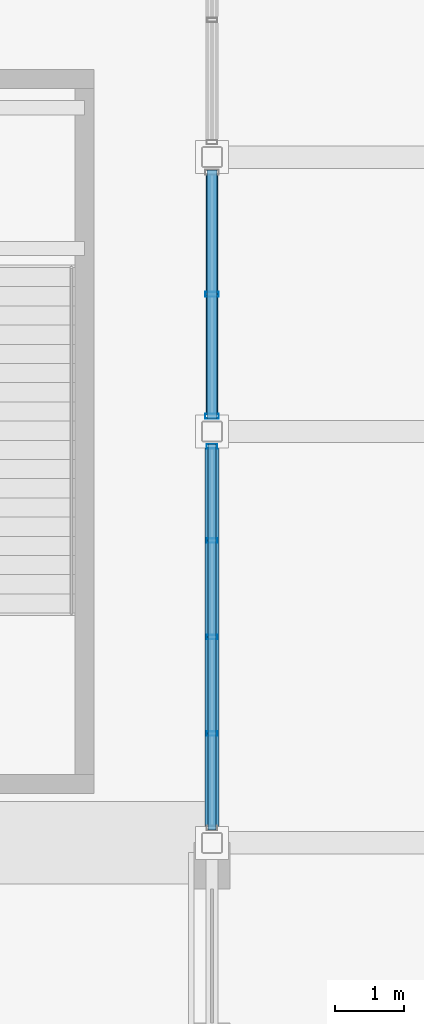
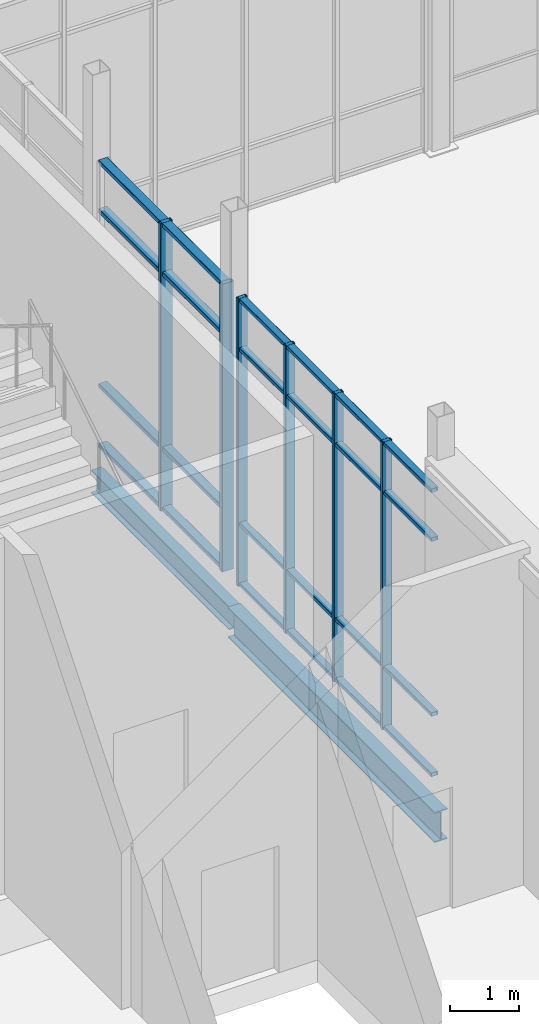
# One storey, part 44 of 140: 14 members, 2 beams, 2 elements without a shape of their own.
"""IFC4 building model written with IfcOpenShell, lengths in metres."""

from ifc_helpers import new_model, si_unit, direction, frame, origin, origin_2d, place, context, subcontext, project, spatial, hollow_rectangle, i_section, extrude, material, material_profile, profile_set, type_object, element, aggregate, save


model = new_model("IFC4")

# Units and contexts
model_context = context("Model", 3, precision=1e-05, world=origin(), true_north=direction((0.0, 1.0)))
body_context = subcontext(model_context, "Body", "Model", "MODEL_VIEW")
ifc_project = project(units=[si_unit("LENGTHUNIT", "METRE"), si_unit("AREAUNIT", "SQUARE_METRE"), si_unit("VOLUMEUNIT", "CUBIC_METRE"), si_unit("PLANEANGLEUNIT", "RADIAN"), si_unit("MASSUNIT", "GRAM", prefix="KILO")], contexts=[model_context])

# Site, building, storey
site_placement = place(None, origin())
site = spatial("IfcSite", under=ifc_project, at=site_placement, CompositionType="ELEMENT")
building_placement = place(site_placement, origin())
building = spatial("IfcBuilding", under=site, at=building_placement, Name="Verrall Gate Interchange", CompositionType="ELEMENT")
storey_placement = place(building_placement, origin())
storey = spatial("IfcBuildingStorey", under=building, at=storey_placement, Name="L01", CompositionType="ELEMENT", Elevation=0.0)

# Beams
ifc_material_1 = material(Name="Structural Steel CSA G40.21 350W", Category="steel")
ifc_material_profile_1 = material_profile(ifc_material_1, i_section(OverallWidth=0.2109375, OverallDepth=0.5390625, WebThickness=0.01171875, FlangeThickness=0.018798828125, FilletRadius=0.013916015625, at=origin_2d()), Name="W530x109")
ifc_profile_set_1 = profile_set([ifc_material_profile_1], Name="Structural Steel CSA G40.21 350W")
beam_type_1 = type_object("IfcBeamType", Name="B-10 Structural Beam W530x109", PredefinedType="BEAM", material=ifc_profile_set_1)
beam_1_placement = place(storey_placement, frame((108.0, 34.0, -0.76953125), z_axis=(0.0, 1.0, 0.0), x_axis=(-1.0, 0.0, 0.0)))
element("IfcBeam", 1, at=beam_1_placement, inside=storey, type_object=beam_type_1, Name="L01 Girder BM-L01-1175 (B-10)", PredefinedType="BEAM", context=body_context, shape_type="SweptSolid", body=[
    extrude(i_section(OverallWidth=0.2109375, OverallDepth=0.5390625, WebThickness=0.01171875, FlangeThickness=0.018798828125, FilletRadius=0.013916015625, at=origin_2d()), origin(), (0.0, 0.0, 1.0), 6.0),
])
ifc_material_2 = material(Name="Structural Steel CSA G40.21 350W", Category="steel")
ifc_material_profile_2 = material_profile(ifc_material_2, i_section(OverallWidth=0.178955078125, OverallDepth=0.409912109375, WebThickness=0.0087890625, FlangeThickness=0.014404296875, FilletRadius=0.011962890625, at=origin_2d()), Name="W410x67")
ifc_profile_set_2 = profile_set([ifc_material_profile_2], Name="Structural Steel CSA G40.21 350W")
beam_type_2 = type_object("IfcBeamType", Name="B-12 Structural Beam W410x67", PredefinedType="BEAM", material=ifc_profile_set_2)
beam_2_placement = place(storey_placement, frame((108.0, 40.0, -0.705078125), z_axis=(0.0, 1.0, 0.0), x_axis=(-1.0, 0.0, 0.0)))
element("IfcBeam", 2, at=beam_2_placement, inside=storey, type_object=beam_type_2, Name="L01 Girder BM-L01-1176 (B-12)", PredefinedType="BEAM", context=body_context, shape_type="SweptSolid", body=[
    extrude(i_section(OverallWidth=0.178955078125, OverallDepth=0.409912109375, WebThickness=0.0087890625, FlangeThickness=0.014404296875, FilletRadius=0.011962890625, at=origin_2d()), origin(), (0.0, 0.0, 1.0), 4.0),
])

# Curtain wall, members
ifc_material_3 = material(Name="Thermally Broken Anodized Aluminium Curtain Wall Framing", Category="aluminium")
curtain_wall_type_1 = type_object("IfcCurtainWallType", Name="CW-04 Unitized Curtain Wall 5631x5100", PredefinedType="NOTDEFINED", material=ifc_material_3)
curtain_wall_1_placement = place(storey_placement, origin())
curtain_wall_1 = element("IfcCurtainWall", 3, at=curtain_wall_1_placement, inside=storey, type_object=curtain_wall_type_1, Name="L01 Unitized Curtain Wall CW-L01-006", PredefinedType="NOTDEFINED")
ifc_material_4 = material(Name="Thermally Broken Anodized Aluminium Curtain Wall Framing", Category="aluminium")
ifc_material_profile_3 = material_profile(ifc_material_4, hollow_rectangle(XDim=0.06494140625, YDim=0.159912109375, WallThickness=0.00390625, InnerFilletRadius=0.00390625, OuterFilletRadius=0.008056640625, at=origin_2d()), Name="CWM160x65x4")
ifc_profile_set_3 = profile_set([ifc_material_profile_3], Name="Thermally Broken Anodized Aluminium Curtain Wall Framing")
member_type_1 = type_object("IfcMemberType", Name="CM-01 Curtain Mullion CWM160x65x4", PredefinedType="MULLION", material=ifc_profile_set_3)
member_1_placement = place(storey_placement, frame((108.0, 35.59228515625, 0.0), z_axis=(0.0, 0.0, 1.0), x_axis=(0.0, 1.0, 0.0)))
member_1 = element("IfcMember", 4, at=member_1_placement, type_object=member_type_1, Name="CW-L01-006 Mullion 2", PredefinedType="MULLION", context=body_context, shape_type="SweptSolid", body=[
    extrude(hollow_rectangle(XDim=0.06494140625, YDim=0.159912109375, WallThickness=0.00390625, InnerFilletRadius=0.00390625, OuterFilletRadius=0.008056640625, at=origin_2d()), origin(), (0.0, 0.0, 1.0), 5.10009765625),
])
member_2_placement = place(storey_placement, frame((108.0, 37.0, 0.0), z_axis=(0.0, 0.0, 1.0), x_axis=(0.0, 1.0, 0.0)))
member_2 = element("IfcMember", 5, at=member_2_placement, type_object=member_type_1, Name="CW-L01-006 Mullion 3", PredefinedType="MULLION", context=body_context, shape_type="SweptSolid", body=[
    extrude(hollow_rectangle(XDim=0.06494140625, YDim=0.159912109375, WallThickness=0.00390625, InnerFilletRadius=0.00390625, OuterFilletRadius=0.008056640625, at=origin_2d()), origin(), (0.0, 0.0, 1.0), 5.10009765625),
])
member_3_placement = place(storey_placement, frame((108.0, 38.40771484375, 0.0), z_axis=(0.0, 0.0, 1.0), x_axis=(0.0, 1.0, 0.0)))
member_3 = element("IfcMember", 6, at=member_3_placement, type_object=member_type_1, Name="CW-L01-006 Mullion 4", PredefinedType="MULLION", context=body_context, shape_type="SweptSolid", body=[
    extrude(hollow_rectangle(XDim=0.06494140625, YDim=0.159912109375, WallThickness=0.00390625, InnerFilletRadius=0.00390625, OuterFilletRadius=0.008056640625, at=origin_2d()), origin(), (0.0, 0.0, 1.0), 5.10009765625),
])
member_4_placement = place(storey_placement, frame((108.0, 39.782958984375, 0.0), z_axis=(0.0, 0.0, 1.0), x_axis=(0.0, 1.0, 0.0)))
member_4 = element("IfcMember", 7, at=member_4_placement, type_object=member_type_1, Name="CW-L01-006 Mullion 5", PredefinedType="MULLION", context=body_context, shape_type="SweptSolid", body=[
    extrude(hollow_rectangle(XDim=0.06494140625, YDim=0.159912109375, WallThickness=0.00390625, InnerFilletRadius=0.00390625, OuterFilletRadius=0.008056640625, at=origin_2d()), origin(), (0.0, 0.0, 1.0), 5.10009765625),
])

ifc_material_5 = material(Name="Thermally Broken Anodized Aluminium Curtain Wall Framing", Category="aluminium")
curtain_wall_type_2 = type_object("IfcCurtainWallType", Name="CW-05 Unitized Curtain Wall 3631x5100", PredefinedType="NOTDEFINED", material=ifc_material_5)
curtain_wall_2_placement = place(storey_placement, origin())
curtain_wall_2 = element("IfcCurtainWall", 8, at=curtain_wall_2_placement, inside=storey, type_object=curtain_wall_type_2, Name="L01 Unitized Curtain Wall CW-L01-007", PredefinedType="NOTDEFINED")
ifc_material_6 = material(Name="Thermally Broken Anodized Aluminium Curtain Wall Framing", Category="aluminium")
ifc_material_profile_4 = material_profile(ifc_material_6, hollow_rectangle(XDim=0.074951171875, YDim=0.199951171875, WallThickness=0.0048828125, InnerFilletRadius=0.0048828125, OuterFilletRadius=0.010009765625, at=origin_2d()), Name="CWM200x75x5")
ifc_profile_set_4 = profile_set([ifc_material_profile_4], Name="Thermally Broken Anodized Aluminium Curtain Wall Framing")
member_type_2 = type_object("IfcMemberType", Name="CM-02 Curtain Mullion CWM200x75x5", PredefinedType="MULLION", material=ifc_profile_set_4)
member_5_placement = place(storey_placement, frame((108.0, 40.221923828125, 0.0), z_axis=(0.0, 0.0, 1.0), x_axis=(0.0, 1.0, 0.0)))
member_5 = element("IfcMember", 9, at=member_5_placement, type_object=member_type_2, Name="CW-L01-007 Mullion 1", PredefinedType="MULLION", context=body_context, shape_type="SweptSolid", body=[
    extrude(hollow_rectangle(XDim=0.074951171875, YDim=0.199951171875, WallThickness=0.0048828125, InnerFilletRadius=0.0048828125, OuterFilletRadius=0.010009765625, at=origin_2d()), origin(), (0.0, 0.0, 1.0), 5.10009765625),
])
member_6_placement = place(storey_placement, frame((108.0, 42.0, 0.0), z_axis=(0.0, 0.0, 1.0), x_axis=(0.0, 1.0, 0.0)))
member_6 = element("IfcMember", 10, at=member_6_placement, type_object=member_type_2, Name="CW-L01-007 Mullion 2", PredefinedType="MULLION", context=body_context, shape_type="SweptSolid", body=[
    extrude(hollow_rectangle(XDim=0.074951171875, YDim=0.199951171875, WallThickness=0.0048828125, InnerFilletRadius=0.0048828125, OuterFilletRadius=0.010009765625, at=origin_2d()), origin(), (0.0, 0.0, 1.0), 5.10009765625),
])

# Member
ifc_material_7 = material(Name="Thermally Broken Anodized Aluminium Curtain Wall Framing", Category="aluminium")
ifc_material_profile_5 = material_profile(ifc_material_7, hollow_rectangle(XDim=0.1201171875, YDim=0.06494140625, WallThickness=0.00390625, InnerFilletRadius=0.00390625, OuterFilletRadius=0.008056640625, at=origin_2d()), Name="CWT120x65x4")
ifc_profile_set_5 = profile_set([ifc_material_profile_5], Name="Thermally Broken Anodized Aluminium Curtain Wall Framing")
member_type_3 = type_object("IfcMemberType", Name="CT-01 Curtain Transom CWT120x65x4", PredefinedType="USERDEFINED", material=ifc_profile_set_5)
member_7_placement = place(storey_placement, frame((108.0, 34.1845703125, 0.032470703125), z_axis=(0.0, 1.0, 0.0), x_axis=(-1.0, 0.0, 0.0)))
member_7 = element("IfcMember", 11, at=member_7_placement, type_object=member_type_3, Name="CW-L01-006 Transom 1", ObjectType="TRANSOM", PredefinedType="USERDEFINED", context=body_context, shape_type="SweptSolid", body=[
    extrude(hollow_rectangle(XDim=0.1201171875, YDim=0.06494140625, WallThickness=0.00390625, InnerFilletRadius=0.00390625, OuterFilletRadius=0.008056640625, at=origin_2d()), origin(), (0.0, 0.0, 1.0), 5.630859375),
])

member_8_placement = place(storey_placement, frame((108.0, 34.1845703125, 1.10009765625), z_axis=(0.0, 1.0, 0.0), x_axis=(-1.0, 0.0, 0.0)))
member_8 = element("IfcMember", 12, at=member_8_placement, type_object=member_type_3, Name="CW-L01-006 Transom 2", ObjectType="TRANSOM", PredefinedType="USERDEFINED", context=body_context, shape_type="SweptSolid", body=[
    extrude(hollow_rectangle(XDim=0.1201171875, YDim=0.06494140625, WallThickness=0.00390625, InnerFilletRadius=0.00390625, OuterFilletRadius=0.008056640625, at=origin_2d()), origin(), (0.0, 0.0, 1.0), 5.630859375),
])

member_9_placement = place(storey_placement, frame((108.0, 34.1845703125, 4.199951171875), z_axis=(0.0, 1.0, 0.0), x_axis=(-1.0, 0.0, 0.0)))
member_9 = element("IfcMember", 13, at=member_9_placement, type_object=member_type_3, Name="CW-L01-006 Transom 3", ObjectType="TRANSOM", PredefinedType="USERDEFINED", context=body_context, shape_type="SweptSolid", body=[
    extrude(hollow_rectangle(XDim=0.1201171875, YDim=0.06494140625, WallThickness=0.00390625, InnerFilletRadius=0.00390625, OuterFilletRadius=0.008056640625, at=origin_2d()), origin(), (0.0, 0.0, 1.0), 5.630859375),
])

member_10_placement = place(storey_placement, frame((108.0, 34.1845703125, 5.0673828125), z_axis=(0.0, 1.0, 0.0), x_axis=(-1.0, 0.0, 0.0)))
member_10 = element("IfcMember", 14, at=member_10_placement, type_object=member_type_3, Name="CW-L01-006 Transom 4", ObjectType="TRANSOM", PredefinedType="USERDEFINED", context=body_context, shape_type="SweptSolid", body=[
    extrude(hollow_rectangle(XDim=0.1201171875, YDim=0.06494140625, WallThickness=0.00390625, InnerFilletRadius=0.00390625, OuterFilletRadius=0.008056640625, at=origin_2d()), origin(), (0.0, 0.0, 1.0), 5.630859375),
])

aggregate(curtain_wall_1, [member_1, member_2, member_3, member_4, member_7, member_8, member_9, member_10])

ifc_material_8 = material(Name="Thermally Broken Anodized Aluminium Curtain Wall Framing", Category="aluminium")
ifc_material_profile_6 = material_profile(ifc_material_8, hollow_rectangle(XDim=0.14990234375, YDim=0.074951171875, WallThickness=0.00439453125, InnerFilletRadius=0.00439453125, OuterFilletRadius=0.009033203125, at=origin_2d()), Name="CWT150x75x4.5")
ifc_profile_set_6 = profile_set([ifc_material_profile_6], Name="Thermally Broken Anodized Aluminium Curtain Wall Framing")
member_type_4 = type_object("IfcMemberType", Name="CT-02 Curtain Transom CWT150x75x4.5", PredefinedType="USERDEFINED", material=ifc_profile_set_6)
member_11_placement = place(storey_placement, frame((108.0, 40.1845703125, 0.03759765625), z_axis=(0.0, 1.0, 0.0), x_axis=(-1.0, 0.0, 0.0)))
member_11 = element("IfcMember", 15, at=member_11_placement, type_object=member_type_4, Name="CW-L01-007 Transom 1", ObjectType="TRANSOM", PredefinedType="USERDEFINED", context=body_context, shape_type="SweptSolid", body=[
    extrude(hollow_rectangle(XDim=0.14990234375, YDim=0.074951171875, WallThickness=0.00439453125, InnerFilletRadius=0.00439453125, OuterFilletRadius=0.009033203125, at=origin_2d()), origin(), (0.0, 0.0, 1.0), 3.630859375),
])

member_12_placement = place(storey_placement, frame((108.0, 40.1845703125, 1.10009765625), z_axis=(0.0, 1.0, 0.0), x_axis=(-1.0, 0.0, 0.0)))
member_12 = element("IfcMember", 16, at=member_12_placement, type_object=member_type_4, Name="CW-L01-007 Transom 2", ObjectType="TRANSOM", PredefinedType="USERDEFINED", context=body_context, shape_type="SweptSolid", body=[
    extrude(hollow_rectangle(XDim=0.14990234375, YDim=0.074951171875, WallThickness=0.00439453125, InnerFilletRadius=0.00439453125, OuterFilletRadius=0.009033203125, at=origin_2d()), origin(), (0.0, 0.0, 1.0), 3.630859375),
])

member_13_placement = place(storey_placement, frame((108.0, 40.1845703125, 4.199951171875), z_axis=(0.0, 1.0, 0.0), x_axis=(-1.0, 0.0, 0.0)))
member_13 = element("IfcMember", 17, at=member_13_placement, type_object=member_type_4, Name="CW-L01-007 Transom 3", ObjectType="TRANSOM", PredefinedType="USERDEFINED", context=body_context, shape_type="SweptSolid", body=[
    extrude(hollow_rectangle(XDim=0.14990234375, YDim=0.074951171875, WallThickness=0.00439453125, InnerFilletRadius=0.00439453125, OuterFilletRadius=0.009033203125, at=origin_2d()), origin(), (0.0, 0.0, 1.0), 3.630859375),
])

member_14_placement = place(storey_placement, frame((108.0, 40.1845703125, 5.0625), z_axis=(0.0, 1.0, 0.0), x_axis=(-1.0, 0.0, 0.0)))
member_14 = element("IfcMember", 18, at=member_14_placement, type_object=member_type_4, Name="CW-L01-007 Transom 4", ObjectType="TRANSOM", PredefinedType="USERDEFINED", context=body_context, shape_type="SweptSolid", body=[
    extrude(hollow_rectangle(XDim=0.14990234375, YDim=0.074951171875, WallThickness=0.00439453125, InnerFilletRadius=0.00439453125, OuterFilletRadius=0.009033203125, at=origin_2d()), origin(), (0.0, 0.0, 1.0), 3.630859375),
])

aggregate(curtain_wall_2, [member_5, member_6, member_11, member_12, member_13, member_14])

save(model, "model.ifc")
